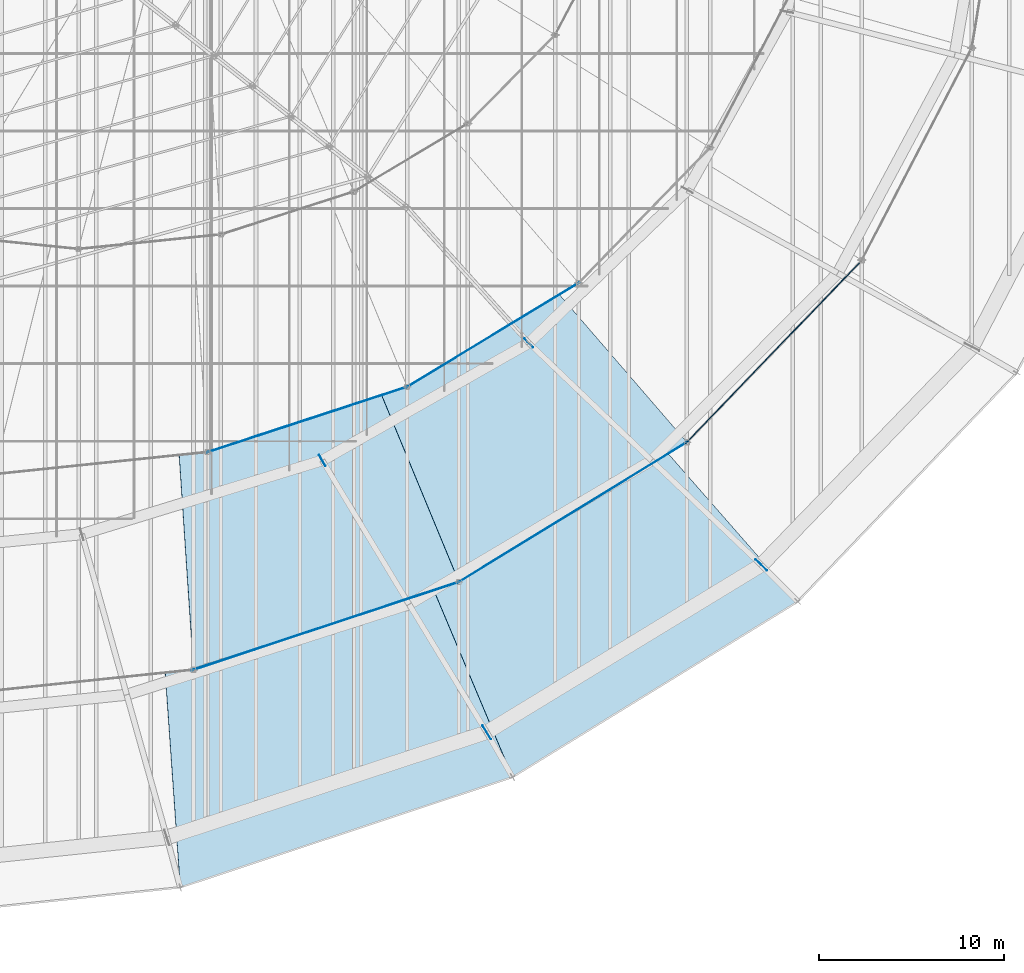
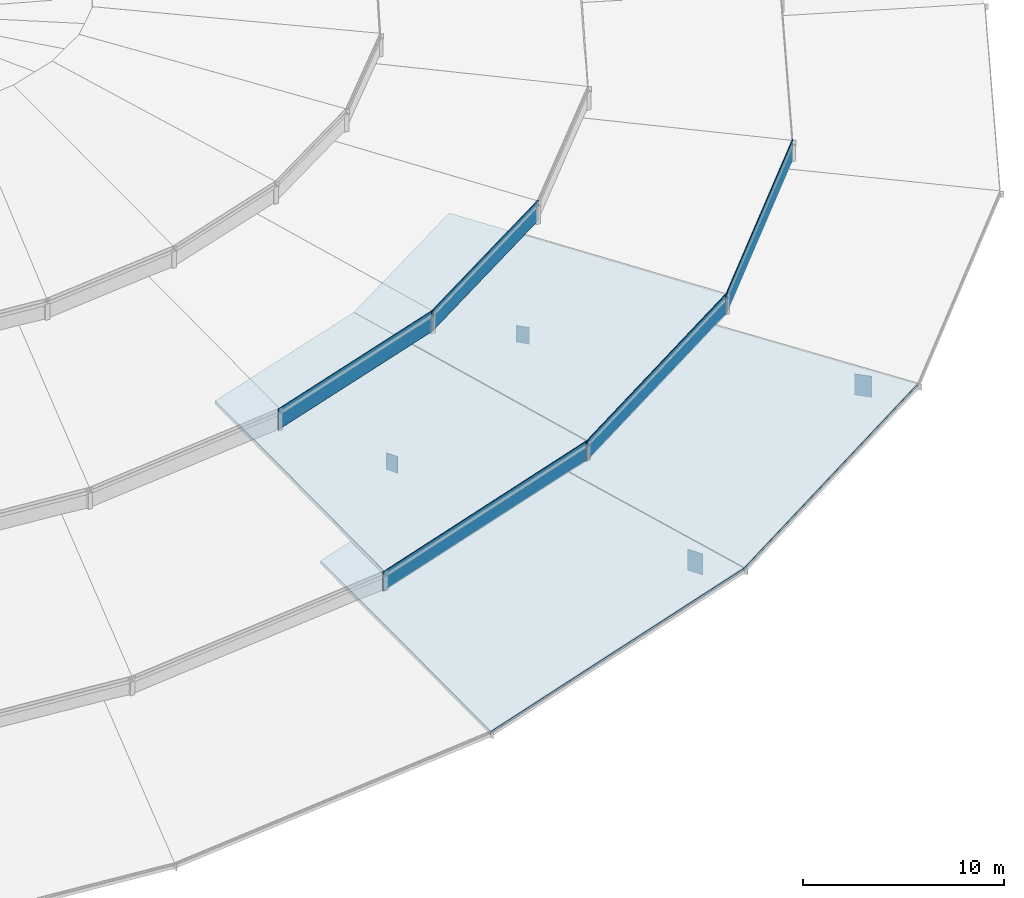
# One storey, part 142 of 184: 9 plates, 4 slabs.
"""IFC4 building model written with IfcOpenShell, lengths in metres."""

from ifc_helpers import new_model, si_unit, direction, frame, origin, origin_2d, place, context, subcontext, project, spatial, polyline, rectangle, outline, extrude, material, layer, layer_set, type_object, element, save


model = new_model("IFC4")

# Units and contexts
model_context = context("Model", 3, precision=1e-05, world=origin(), true_north=direction((0.0, 1.0)))
body_context = subcontext(model_context, "Body", "Model", "MODEL_VIEW")
ifc_project = project(units=[si_unit("LENGTHUNIT", "METRE"), si_unit("AREAUNIT", "SQUARE_METRE"), si_unit("VOLUMEUNIT", "CUBIC_METRE"), si_unit("PLANEANGLEUNIT", "RADIAN"), si_unit("MASSUNIT", "GRAM", prefix="KILO")], contexts=[model_context])

# Site, building, storey
site_placement = place(None, origin())
site = spatial("IfcSite", under=ifc_project, at=site_placement, CompositionType="ELEMENT")
building_placement = place(site_placement, origin())
building = spatial("IfcBuilding", under=site, at=building_placement, Name="Kalgoora Escarpment Arena", CompositionType="ELEMENT")
storey_placement = place(building_placement, frame((0.0, 0.0, 27.60009765625)))
storey = spatial("IfcBuildingStorey", under=building, at=storey_placement, Name="Roof Level", CompositionType="ELEMENT", Elevation=27.60009765625)

# Plates
ifc_material_1 = material(Name="Low-E double-glazed petal clerestory glass", Category="glass")
ifc_layer_1 = layer(ifc_material_1, 0.035888671875)
ifc_layer_set_1 = layer_set([ifc_layer_1], Name="PLT-PETAL-CLERESTORY")
plate_type_1 = type_object("IfcPlateType", Name="PLT-PETAL-CLERESTORY", PredefinedType="USERDEFINED", material=ifc_layer_set_1)
plate_1_placement = place(storey_placement, frame((119.61279296875, 20.3994140625, 0.260009765625), z_axis=(0.0, 0.0, 1.0), x_axis=(0.94937066116, 0.31415815719, 0.0)))
element("IfcPlate", 1, at=plate_1_placement, inside=storey, type_object=plate_type_1, Name="Petal RP2 glazed clerestory collar panel S20", ObjectType="CLERESTORY PANEL", PredefinedType="USERDEFINED", context=body_context, shape_type="SweptSolid", body=[
    extrude(rectangle(XDim=15.36767578125, YDim=0.0400390625, at=origin_2d()), origin(), (0.0, 0.0, 1.0), 1.25),
])
plate_2_placement = place(storey_placement, frame((132.9716796875, 26.559326171875, 0.260009765625), z_axis=(0.0, 0.0, 1.0), x_axis=(0.852640164354, 0.522498564716, 0.0)))
element("IfcPlate", 2, at=plate_2_placement, inside=storey, type_object=plate_type_1, Name="Petal RP2 glazed clerestory collar panel S21", ObjectType="CLERESTORY PANEL", PredefinedType="USERDEFINED", context=body_context, shape_type="SweptSolid", body=[
    extrude(rectangle(XDim=14.694091796875, YDim=0.0400390625, at=origin_2d()), origin(), (0.0, 0.0, 1.0), 1.25),
])
plate_3_placement = place(storey_placement, frame((143.87939453125, 35.27099609375, 0.260009765625), z_axis=(0.0, 0.0, 1.0), x_axis=(0.692772764861, 0.721155944485, 0.0)))
element("IfcPlate", 3, at=plate_3_placement, inside=storey, type_object=plate_type_1, Name="Petal RP2 glazed clerestory collar panel S22", ObjectType="CLERESTORY PANEL", PredefinedType="USERDEFINED", context=body_context, shape_type="SweptSolid", body=[
    extrude(rectangle(XDim=13.8759765625, YDim=0.0400390625, at=origin_2d()), origin(), (0.0, 0.0, 1.0), 1.25),
])
plate_4_placement = place(storey_placement, frame((118.597412109375, 31.574462890625, 2.7099609375), z_axis=(0.0, 0.0, 1.0), x_axis=(0.950407227189, 0.311008203279, 0.0)))
element("IfcPlate", 4, at=plate_4_placement, inside=storey, type_object=plate_type_1, Name="Petal RP3 glazed clerestory collar panel S20", ObjectType="CLERESTORY PANEL", PredefinedType="USERDEFINED", context=body_context, shape_type="SweptSolid", body=[
    extrude(rectangle(XDim=11.53955078125, YDim=0.0400390625, at=origin_2d()), origin(), (0.0, 0.0, 1.0), 1.25),
])
plate_5_placement = place(storey_placement, frame((128.63916015625, 36.155517578125, 2.7099609375), z_axis=(0.0, 0.0, 1.0), x_axis=(0.855092904614, 0.518474806022, 0.0)))
element("IfcPlate", 5, at=plate_5_placement, inside=storey, type_object=plate_type_1, Name="Petal RP3 glazed clerestory collar panel S21", ObjectType="CLERESTORY PANEL", PredefinedType="USERDEFINED", context=body_context, shape_type="SweptSolid", body=[
    extrude(rectangle(XDim=11.013427734375, YDim=0.0400390625, at=origin_2d()), origin(), (0.0, 0.0, 1.0), 1.25),
])
ifc_material_2 = material(Name="Structural steel Grade 350 (350 MPa)", Category="steel")
ifc_layer_2 = layer(ifc_material_2, 0.031982421875)
ifc_layer_set_2 = layer_set([ifc_layer_2], Name="PLT-RING-DIAPH")
plate_type_2 = type_object("IfcPlateType", Name="PLT-RING-DIAPH", PredefinedType="USERDEFINED", material=ifc_layer_set_2)
plate_6_placement = place(storey_placement, frame((128.300048828125, 14.63671875, -2.09033203125), z_axis=(0.0, 0.0, 1.0), x_axis=(0.854005138885, 0.520264569962, 0.0)))
element("IfcPlate", 6, at=plate_6_placement, inside=storey, type_object=plate_type_2, Name="Compression ring node diaphragm plate 21", ObjectType="FLANGE PLATE", PredefinedType="USERDEFINED", context=body_context, shape_type="SweptSolid", body=[
    extrude(rectangle(XDim=0.031982421875, YDim=0.8798828125, at=origin_2d()), origin(), (0.0, 0.0, 1.0), 1.280029296875),
])
plate_7_placement = place(storey_placement, frame((119.39990234375, 29.35888671875, -1.760009765625), z_axis=(0.0, 0.0, 1.0), x_axis=(0.869408707144, 0.494093614554, 0.0)))
element("IfcPlate", 7, at=plate_7_placement, inside=storey, type_object=plate_type_2, Name="Inner ring node diaphragm plate 21", ObjectType="FLANGE PLATE", PredefinedType="USERDEFINED", context=body_context, shape_type="SweptSolid", body=[
    extrude(rectangle(XDim=0.031982421875, YDim=0.679931640625, at=origin_2d()), origin(), (0.0, 0.0, 1.0), 1.02001953125),
])
plate_8_placement = place(storey_placement, frame((143.17041015625, 23.69482421875, -2.09033203125), z_axis=(0.0, 0.0, 1.0), x_axis=(0.695034920658, 0.718975979477, 0.0)))
element("IfcPlate", 8, at=plate_8_placement, inside=storey, type_object=plate_type_2, Name="Compression ring node diaphragm plate 22", ObjectType="FLANGE PLATE", PredefinedType="USERDEFINED", context=body_context, shape_type="SweptSolid", body=[
    extrude(rectangle(XDim=0.031982421875, YDim=0.8798828125, at=origin_2d()), origin(), (0.0, 0.0, 1.0), 1.280029296875),
])
plate_9_placement = place(storey_placement, frame((130.583740234375, 35.7158203125, -1.760009765625), z_axis=(0.0, 0.0, 1.0), x_axis=(0.719461030139, 0.6945328114, 0.0)))
element("IfcPlate", 9, at=plate_9_placement, inside=storey, type_object=plate_type_2, Name="Inner ring node diaphragm plate 22", ObjectType="FLANGE PLATE", PredefinedType="USERDEFINED", context=body_context, shape_type="SweptSolid", body=[
    extrude(rectangle(XDim=0.031982421875, YDim=0.679931640625, at=origin_2d()), origin(), (0.0, 0.0, 1.0), 1.02001953125),
])

# Slabs
ifc_material_3 = material(Name="White acoustic composite Concrete N40 (fc' 40 MPa)", Category="concrete")
ifc_layer_3 = layer(ifc_material_3, 0.179931640625)
ifc_layer_set_3 = layer_set([ifc_layer_3], Name="SLB-PETAL-RP1")
slab_type_1 = type_object("IfcSlabType", Name="SLB-PETAL-RP1", PredefinedType="ROOF", material=ifc_layer_set_3)
slab_1_placement = place(storey_placement, frame((111.7080078125, 6.237548828125, -0.840087890625), z_axis=(0.034250866706, -0.103150022832, 0.994075928146), x_axis=(0.949049668066, 0.315126526244, -4.68074e-07)))
element("IfcSlab", 10, at=slab_1_placement, inside=storey, type_object=slab_type_1, Name="Shifted white roof petal RP1 sector 20", PredefinedType="ROOF", context=body_context, shape_type="SweptSolid", body=[
    extrude(outline(polyline([(0.0, 0.0), (18.957851900720904, 0.0), (17.815176596831634, 14.70181539409343), (3.743162780472719, 14.721889442522869), (0.0, 0.0)])), origin(), (0.0, 0.0, -1.0), 0.179931640625),
])
slab_2_placement = place(storey_placement, frame((129.699951171875, 12.211669921875, -0.840087890625), z_axis=(0.057512369955, -0.093498127217, 0.993956954555), x_axis=(0.851766355064, 0.523921822774, -1.400956e-06)))
element("IfcSlab", 11, at=slab_2_placement, inside=storey, type_object=slab_type_1, Name="Shifted white roof petal RP1 sector 21", PredefinedType="ROOF", context=body_context, shape_type="SweptSolid", body=[
    extrude(outline(polyline([(0.0, 0.0), (18.139004611127472, -1.7763568394002505e-15), (15.6846563617382, 14.548035683496465), (2.2316860483016, 14.576545783022127), (0.0, 0.0)])), origin(), (0.0, 0.0, -1.0), 0.179931640625),
])
ifc_material_4 = material(Name="White acoustic composite Concrete N40 (fc' 40 MPa)", Category="concrete")
ifc_layer_4 = layer(ifc_material_4, 0.205078125)
ifc_layer_set_4 = layer_set([ifc_layer_4], Name="SLB-PETAL-RP2")
slab_type_2 = type_object("IfcSlabType", Name="SLB-PETAL-RP2", PredefinedType="ROOF", material=ifc_layer_set_4)
slab_3_placement = place(storey_placement, frame((112.425537109375, 18.02197265625, 1.449951171875), z_axis=(0.034158424576, -0.103259907221, 0.994067700708), x_axis=(0.949401623984, 0.314064573577, 2.16246e-07)))
element("IfcSlab", 12, at=slab_3_placement, inside=storey, type_object=slab_type_2, Name="Shifted white roof petal RP2 sector 20", PredefinedType="ROOF", context=body_context, shape_type="SweptSolid", body=[
    extrude(outline(polyline([(0.0, 0.0), (15.140601688598974, 0.0), (14.07637896809451, 14.669095604847943), (3.776082958412022, 14.709550812260304), (0.0, 0.0)])), origin(), (0.0, 0.0, -1.0), 0.205078125),
])
slab_4_placement = place(storey_placement, frame((126.800048828125, 22.777099609375, 1.449951171875), z_axis=(0.057540075236, -0.093892975465, 0.993918129878), x_axis=(0.852622197683, 0.522527882524, 1.762973e-06)))
element("IfcSlab", 13, at=slab_4_placement, inside=storey, type_object=slab_type_2, Name="Shifted white roof petal RP2 sector 21", PredefinedType="ROOF", context=body_context, shape_type="SweptSolid", body=[
    extrude(outline(polyline([(0.0, 0.0), (14.477112337076063, -1.7763568394002505e-15), (12.119644381147177, 14.47023584481654), (2.293126593661918, 14.528267212177573), (0.0, 0.0)])), origin(), (0.0, 0.0, -1.0), 0.205078125),
])

save(model, "model.ifc")
